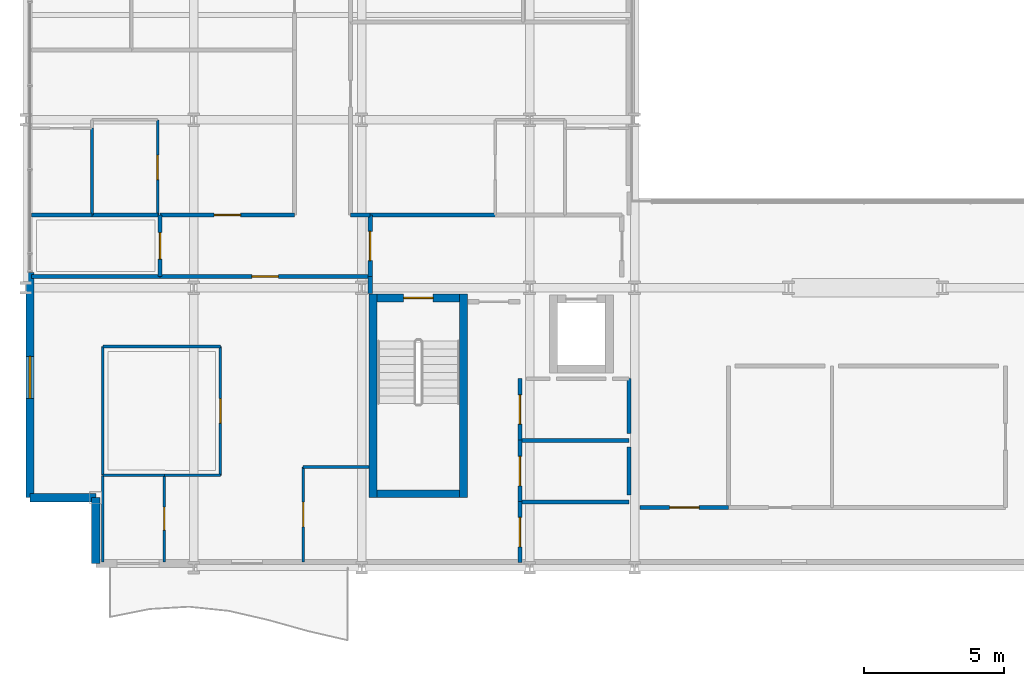
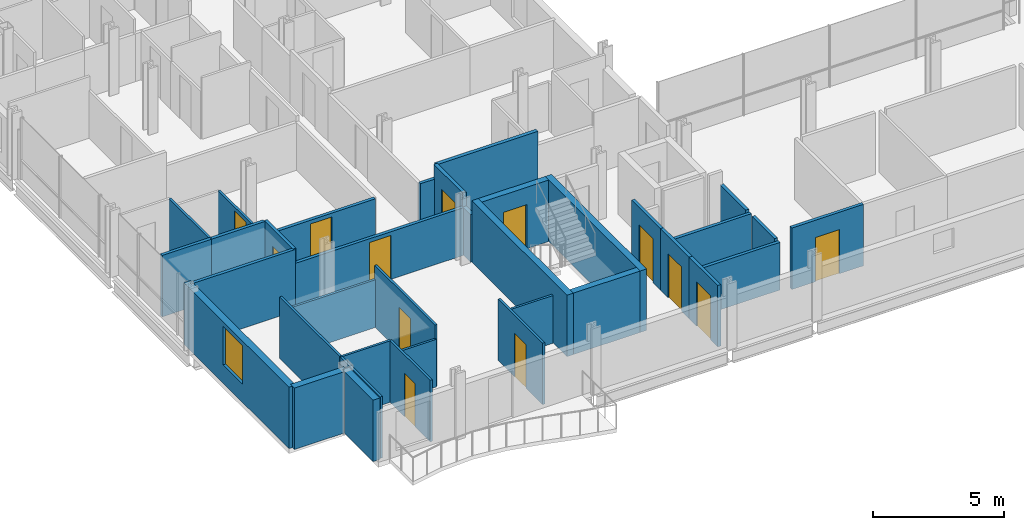
# One storey, part 31 of 41: 36 walls, 13 doors, 1 window, 14 openings.
"""IFC4 building model written with IfcOpenShell, lengths in metres."""

from ifc_helpers import new_model, si_unit, direction, frame, frame_2d, origin, place, context, subcontext, project, spatial, rectangle, extrude, material, layer, layer_set, type_object, element, fill, save


model = new_model("IFC4")

# Units and contexts
model_context = context("Model", 3, precision=1e-05, world=origin(), true_north=direction((0.0, 1.0)))
body_context = subcontext(model_context, "Body", "Model", "MODEL_VIEW")
ifc_project = project(units=[si_unit("LENGTHUNIT", "METRE"), si_unit("AREAUNIT", "SQUARE_METRE"), si_unit("VOLUMEUNIT", "CUBIC_METRE"), si_unit("PLANEANGLEUNIT", "RADIAN"), si_unit("MASSUNIT", "GRAM", prefix="KILO")], contexts=[model_context])

# Site, building, storey
site_placement = place(None, origin())
site = spatial("IfcSite", under=ifc_project, at=site_placement, CompositionType="ELEMENT")
building_placement = place(site_placement, origin())
building = spatial("IfcBuilding", under=site, at=building_placement, Name="Brevholm Reach", CompositionType="ELEMENT")
storey_placement = place(building_placement, frame((0.0, 0.0, 55.89990234375)))
storey = spatial("IfcBuildingStorey", under=building, at=storey_placement, Name="L15", CompositionType="ELEMENT", Elevation=55.89990234375)

# Walls
ifc_material_1 = material(Name="Concrete C50/60", Category="concrete")
ifc_layer_1 = layer(ifc_material_1, 0.280029296875)
ifc_layer_set_1 = layer_set([ifc_layer_1], Name="Concrete C50/60")
wall_type_1 = type_object("IfcWallType", Name="WAL-COR-280", PredefinedType="SHEAR", material=ifc_layer_set_1)
for number, where, z_axis, x_axis, name in (
    (1, (12.409912109375, 2.5, 0.0), (0.0, 0.0, 1.0), (0.0, 1.0, 0.0), "L15 Escape Stair ST-1 Core Wall W"),
    (2, (15.639892578125, 2.5, 0.0), (0.0, 0.0, 1.0), (0.0, 1.0, 0.0), "L15 Escape Stair ST-1 Core Wall E"),
):
    element("IfcWall", number, at=place(storey_placement, frame(where, z_axis=z_axis, x_axis=x_axis)), inside=storey, type_object=wall_type_1, Name=name, PredefinedType="SHEAR", context=body_context, shape_type="SweptSolid", body=[
        extrude(rectangle(XDim=7.280029296875, YDim=0.280029296875, at=frame_2d((3.64013671875, 0.0))), origin(), (0.0, 0.0, 1.0), 2.8701171875),
    ])
wall_1_placement = place(storey_placement, frame((12.550048828125, 2.639892578125, 0.0), z_axis=(0.0, 0.0, 1.0), x_axis=(1.0, 0.0, 0.0)))
element("IfcWall", 3, at=wall_1_placement, inside=storey, type_object=wall_type_1, Name="L15 Escape Stair ST-1 Core Wall S", PredefinedType="SHEAR", context=body_context, shape_type="SweptSolid", body=[
    extrude(rectangle(XDim=2.949951171875, YDim=0.280029296875, at=frame_2d((1.47509765625, 0.0))), origin(), (0.0, 0.0, 1.0), 2.8701171875),
])

# Wall, opening, door
wall_2_placement = place(storey_placement, frame((15.5, 9.639892578125, 0.0), z_axis=(0.0, 0.0, 1.0), x_axis=(-1.0, 0.0, 0.0)))
wall_2 = element("IfcWall", 4, at=wall_2_placement, inside=storey, type_object=wall_type_1, Name="L15 Escape Stair ST-1 Core Wall N", PredefinedType="SHEAR", context=body_context, shape_type="SweptSolid", body=[
    extrude(rectangle(XDim=2.949951171875, YDim=0.280029296875, at=frame_2d((1.47509765625, 0.0))), origin(), (0.0, 0.0, 1.0), 2.8701171875),
])
opening_1_placement = place(wall_2_placement, frame((0.949951171875, 0.0, 0.0)))
opening_1 = element("IfcOpeningElement", 5, at=opening_1_placement, cuts=wall_2, Name="Opening SD-ST-1", PredefinedType="OPENING", context=body_context, shape_type="SweptSolid", body=[
    extrude(rectangle(XDim=1.050048828125, YDim=2.06005859375, at=frame_2d((0.52490234375, 1.030029296875))), frame((0.0, 0.14990234375, 0.0), z_axis=(0.0, -1.0, 0.0), x_axis=(1.0, 0.0, 0.0)), (0.0, 0.0, 1.0), 0.300048828125),
])
ifc_material_2 = material(Name="Hardwood-Lipped Steel-Core Fire and Smoke Door", Category="steel")
door_type_1 = type_object("IfcDoorType", Name="DOR-INT-FD60S", OperationType="NOTDEFINED", PredefinedType="DOOR", material=ifc_material_2)
door_1_placement = place(opening_1_placement, origin())
door_1 = element("IfcDoor", 6, at=door_1_placement, inside=storey, type_object=door_type_1, Name="L15 Protected Stair ST-1 Lobby Door", OperationType="SINGLE_SWING_LEFT", OverallHeight=2.06005859375, OverallWidth=1.050048828125, PredefinedType="DOOR", context=body_context, shape_type="SweptSolid", body=[
    extrude(rectangle(XDim=1.050048828125, YDim=2.06005859375, at=frame_2d((0.52490234375, 1.030029296875))), frame((0.0, 0.02490234375, 0.0), z_axis=(0.0, -1.0, 0.0), x_axis=(1.0, 0.0, 0.0)), (0.0, 0.0, 1.0), 0.050048828125),
])
fill(opening_1, door_1)

# Walls
ifc_material_3 = material(Name="Concrete C40/50", Category="concrete")
ifc_layer_2 = layer(ifc_material_3, 0.300048828125)
ifc_layer_set_2 = layer_set([ifc_layer_2], Name="Concrete C40/50")
wall_type_2 = type_object("IfcWallType", Name="WAL-EXT-300", PredefinedType="STANDARD", material=ifc_layer_set_2)
for number, where, z_axis, x_axis, name in (
    (7, (2.5, 2.5, 0.0), (0.0, 0.0, 1.0), (0.0, -1.0, 0.0), "L15 Facade Wall WAL-L15-CSW1"),
    (8, (0.14990234375, 2.5, 0.0), (0.0, 0.0, 1.0), (1.0, 0.0, 0.0), "L15 Facade Wall WAL-L15-CSW2"),
):
    element("IfcWall", number, at=place(storey_placement, frame(where, z_axis=z_axis, x_axis=x_axis)), inside=storey, type_object=wall_type_2, Name=name, PredefinedType="STANDARD", context=body_context, shape_type="SweptSolid", body=[
        extrude(rectangle(XDim=2.35009765625, YDim=0.300048828125, at=frame_2d((1.175048828125, 0.0))), origin(), (0.0, 0.0, 1.0), 2.8701171875),
    ])

# Wall, opening, window
wall_3_placement = place(storey_placement, frame((0.14990234375, 10.550048828125, 0.0), z_axis=(0.0, 0.0, 1.0), x_axis=(0.0, -1.0, 0.0)))
wall_3 = element("IfcWall", 9, at=wall_3_placement, inside=storey, type_object=wall_type_2, Name="L15 Facade Wall WAL-L15-W-S", PredefinedType="STANDARD", context=body_context, shape_type="SweptSolid", body=[
    extrude(rectangle(XDim=8.050048828125, YDim=0.300048828125, at=frame_2d((4.02490234375, 0.0))), origin(), (0.0, 0.0, 1.0), 2.8701171875),
])
opening_2_placement = place(wall_3_placement, frame((3.0, 0.0, 0.85009765625)))
opening_2 = element("IfcOpeningElement", 10, at=opening_2_placement, cuts=wall_3, Name="Opening WN-05", PredefinedType="OPENING", context=body_context, shape_type="SweptSolid", body=[
    extrude(rectangle(XDim=1.5, YDim=1.800048828125, at=frame_2d((0.75, 0.89990234375))), frame((0.0, 0.159912109375, 0.0), z_axis=(0.0, -1.0, 0.0), x_axis=(1.0, 0.0, 0.0)), (0.0, 0.0, 1.0), 0.320068359375),
])
ifc_material_4 = material(Name="Dark Anodised Aluminium and Solar-Control IGU Glass", Category="aluminium")
window_type = type_object("IfcWindowType", Name="WIN-RES-1500", PartitioningType="SINGLE_PANEL", PredefinedType="WINDOW", material=ifc_material_4)
window_placement = place(opening_2_placement, origin())
window = element("IfcWindow", 11, at=window_placement, inside=storey, type_object=window_type, Name="L15 Window WIN-L15-WS-1", OverallHeight=1.800048828125, OverallWidth=1.5, PartitioningType="SINGLE_PANEL", PredefinedType="WINDOW", context=body_context, shape_type="SweptSolid", body=[
    extrude(rectangle(XDim=1.5, YDim=1.800048828125, at=frame_2d((0.75, 0.89990234375))), frame((0.0, 0.030029296875, 0.0), z_axis=(0.0, -1.0, 0.0), x_axis=(1.0, 0.0, 0.0)), (0.0, 0.0, 1.0), 0.06005859375),
])
fill(opening_2, window)

# Wall
ifc_material_5 = material(Name="Moisture-Resistant Acoustic Gypsum Stud Partition 100 mm", Category="gypsum")
ifc_layer_3 = layer(ifc_material_5, 0.10009765625)
ifc_layer_set_3 = layer_set([ifc_layer_3], Name="Moisture-Resistant Acoustic Gypsum Stud Partition 100 mm")
wall_type_3 = type_object("IfcWallType", Name="WAL-PRT-100", PredefinedType="PARTITIONING", material=ifc_layer_set_3)
wall_4_placement = place(storey_placement, frame((2.75, 3.300048828125, 0.0), z_axis=(0.0, 0.0, 1.0), x_axis=(1.0, 0.0, 0.0)))
element("IfcWall", 12, at=wall_4_placement, inside=storey, type_object=wall_type_3, Name="L15 Internal Partition 056", PredefinedType="PARTITIONING", context=body_context, shape_type="SweptSolid", body=[
    extrude(rectangle(XDim=2.197021484375, YDim=0.10009765625, at=frame_2d((1.0986328125, 0.0))), origin(), (0.0, 0.0, 1.0), 2.8701171875),
])

# Wall, opening, door
wall_5_placement = place(storey_placement, frame((4.947021484375, 0.199951171875, 0.0), z_axis=(0.0, 0.0, 1.0), x_axis=(0.0, 1.0, 0.0)))
wall_5 = element("IfcWall", 13, at=wall_5_placement, inside=storey, type_object=wall_type_3, Name="L15 Internal Partition 057", PredefinedType="PARTITIONING", context=body_context, shape_type="SweptSolid", body=[
    extrude(rectangle(XDim=3.10009765625, YDim=0.10009765625, at=frame_2d((1.550048828125, 0.0))), origin(), (0.0, 0.0, 1.0), 2.8701171875),
])
opening_3_placement = place(wall_5_placement, frame((1.139892578125, 0.0, 0.0)))
opening_3 = element("IfcOpeningElement", 14, at=opening_3_placement, cuts=wall_5, Name="Opening ID-03", PredefinedType="OPENING", context=body_context, shape_type="SweptSolid", body=[
    extrude(rectangle(XDim=0.820068359375, YDim=2.02001953125, at=frame_2d((0.41015625, 1.010009765625))), frame((0.0, 0.06005859375, 0.0), z_axis=(0.0, -1.0, 0.0), x_axis=(1.0, 0.0, 0.0)), (0.0, 0.0, 1.0), 0.1201171875),
])
ifc_material_6 = material(Name="Moisture-Resistant Painted Timber Internal Bathroom Door", Category="wood")
door_type_2 = type_object("IfcDoorType", Name="DOR-BATH-820", OperationType="NOTDEFINED", PredefinedType="DOOR", material=ifc_material_6)
door_2_placement = place(opening_3_placement, origin())
door_2 = element("IfcDoor", 15, at=door_2_placement, inside=storey, type_object=door_type_2, Name="L15 Internal Door 027", OperationType="SINGLE_SWING_RIGHT", OverallHeight=2.02001953125, OverallWidth=0.820068359375, PredefinedType="DOOR", context=body_context, shape_type="SweptSolid", body=[
    extrude(rectangle(XDim=0.820068359375, YDim=2.02001953125, at=frame_2d((0.41015625, 1.010009765625))), frame((0.0, 0.02490234375, 0.0), z_axis=(0.0, -1.0, 0.0), x_axis=(1.0, 0.0, 0.0)), (0.0, 0.0, 1.0), 0.050048828125),
])
fill(opening_3, door_2)

# Walls
wall_6_placement = place(storey_placement, frame((2.75, 0.199951171875, 0.0), z_axis=(0.0, 0.0, 1.0), x_axis=(0.0, 1.0, 0.0)))
element("IfcWall", 16, at=wall_6_placement, inside=storey, type_object=wall_type_3, Name="L15 Internal Partition 058", PredefinedType="PARTITIONING", context=body_context, shape_type="SweptSolid", body=[
    extrude(rectangle(XDim=3.10009765625, YDim=0.10009765625, at=frame_2d((1.550048828125, 0.0))), origin(), (0.0, 0.0, 1.0), 2.8701171875),
])
wall_7_placement = place(storey_placement, frame((9.912109375, 3.60009765625, 0.0), z_axis=(0.0, 0.0, 1.0), x_axis=(1.0, 0.0, 0.0)))
element("IfcWall", 17, at=wall_7_placement, inside=storey, type_object=wall_type_3, Name="L15 Internal Partition 059", PredefinedType="PARTITIONING", context=body_context, shape_type="SweptSolid", body=[
    extrude(rectangle(XDim=2.347900390625, YDim=0.10009765625, at=frame_2d((1.173828125, 0.0))), origin(), (0.0, 0.0, 1.0), 2.224853515625),
])

# Wall, opening, door
wall_8_placement = place(storey_placement, frame((9.912109375, 0.199951171875, 0.0), z_axis=(0.0, 0.0, 1.0), x_axis=(0.0, 1.0, 0.0)))
wall_8 = element("IfcWall", 18, at=wall_8_placement, inside=storey, type_object=wall_type_3, Name="L15 Internal Partition 060", PredefinedType="PARTITIONING", context=body_context, shape_type="SweptSolid", body=[
    extrude(rectangle(XDim=3.400146484375, YDim=0.10009765625, at=frame_2d((1.7001953125, 0.0))), origin(), (0.0, 0.0, 1.0), 2.8701171875),
])
opening_4_placement = place(wall_8_placement, frame((1.260009765625, 0.0, 0.0)))
opening_4 = element("IfcOpeningElement", 19, at=opening_4_placement, cuts=wall_8, Name="Opening ID-01", PredefinedType="OPENING", context=body_context, shape_type="SweptSolid", body=[
    extrude(rectangle(XDim=0.8798828125, YDim=2.0400390625, at=frame_2d((0.43994140625, 1.02001953125))), frame((0.0, 0.06005859375, 0.0), z_axis=(0.0, -1.0, 0.0), x_axis=(1.0, 0.0, 0.0)), (0.0, 0.0, 1.0), 0.1201171875),
])
ifc_material_7 = material(Name="Lacquered Ash Solid-Core Acoustic Internal Door", Category="timber")
door_type_3 = type_object("IfcDoorType", Name="DOR-INT-880", OperationType="NOTDEFINED", PredefinedType="DOOR", material=ifc_material_7)
door_3_placement = place(opening_4_placement, origin())
door_3 = element("IfcDoor", 20, at=door_3_placement, inside=storey, type_object=door_type_3, Name="L15 Internal Door 028", OperationType="SINGLE_SWING_LEFT", OverallHeight=2.0400390625, OverallWidth=0.8798828125, PredefinedType="DOOR", context=body_context, shape_type="SweptSolid", body=[
    extrude(rectangle(XDim=0.8798828125, YDim=2.0400390625, at=frame_2d((0.43994140625, 1.02001953125))), frame((0.0, 0.02490234375, 0.0), z_axis=(0.0, -1.0, 0.0), x_axis=(1.0, 0.0, 0.0)), (0.0, 0.0, 1.0), 0.050048828125),
])
fill(opening_4, door_3)

# Wall
wall_9_placement = place(storey_placement, frame((4.950927734375, 3.300048828125, 0.0), z_axis=(0.0, 0.0, 1.0), x_axis=(1.0, 0.0, 0.0)))
element("IfcWall", 21, at=wall_9_placement, inside=storey, type_object=wall_type_3, Name="L15 Internal Partition 061", PredefinedType="PARTITIONING", context=body_context, shape_type="SweptSolid", body=[
    extrude(rectangle(XDim=1.9990234375, YDim=0.10009765625, at=frame_2d((0.99951171875, 0.0))), origin(), (0.0, 0.0, 1.0), 2.224853515625),
])

# Wall, opening, door
wall_10_placement = place(storey_placement, frame((6.949951171875, 3.300048828125, 0.0), z_axis=(0.0, 0.0, 1.0), x_axis=(0.0, 1.0, 0.0)))
wall_10 = element("IfcWall", 22, at=wall_10_placement, inside=storey, type_object=wall_type_3, Name="L15 Internal Partition 062", PredefinedType="PARTITIONING", context=body_context, shape_type="SweptSolid", body=[
    extrude(rectangle(XDim=4.599853515625, YDim=0.10009765625, at=frame_2d((2.2998046875, 0.0))), origin(), (0.0, 0.0, 1.0), 2.8701171875),
])
opening_5_placement = place(wall_10_placement, frame((1.860107421875, 0.0, 0.0)))
opening_5 = element("IfcOpeningElement", 23, at=opening_5_placement, cuts=wall_10, Name="Opening ID-01", PredefinedType="OPENING", context=body_context, shape_type="SweptSolid", body=[
    extrude(rectangle(XDim=0.8798828125, YDim=2.0400390625, at=frame_2d((0.43994140625, 1.02001953125))), frame((0.0, 0.06005859375, 0.0), z_axis=(0.0, -1.0, 0.0), x_axis=(1.0, 0.0, 0.0)), (0.0, 0.0, 1.0), 0.1201171875),
])
door_4_placement = place(opening_5_placement, origin())
door_4 = element("IfcDoor", 24, at=door_4_placement, inside=storey, type_object=door_type_3, Name="L15 Internal Door 029", OperationType="SINGLE_SWING_RIGHT", OverallHeight=2.0400390625, OverallWidth=0.8798828125, PredefinedType="DOOR", context=body_context, shape_type="SweptSolid", body=[
    extrude(rectangle(XDim=0.8798828125, YDim=2.0400390625, at=frame_2d((0.43994140625, 1.02001953125))), frame((0.0, 0.02490234375, 0.0), z_axis=(0.0, -1.0, 0.0), x_axis=(1.0, 0.0, 0.0)), (0.0, 0.0, 1.0), 0.050048828125),
])
fill(opening_5, door_4)

# Walls
wall_11_placement = place(storey_placement, frame((2.75, 7.89990234375, 0.0), z_axis=(0.0, 0.0, 1.0), x_axis=(1.0, 0.0, 0.0)))
element("IfcWall", 25, at=wall_11_placement, inside=storey, type_object=wall_type_3, Name="L15 Internal Partition 063", PredefinedType="PARTITIONING", context=body_context, shape_type="SweptSolid", body=[
    extrude(rectangle(XDim=4.199951171875, YDim=0.10009765625, at=frame_2d((2.10009765625, 0.0))), origin(), (0.0, 0.0, 1.0), 2.224853515625),
])
wall_12_placement = place(storey_placement, frame((2.75, 3.303955078125, 0.0), z_axis=(0.0, 0.0, 1.0), x_axis=(0.0, 1.0, 0.0)))
element("IfcWall", 26, at=wall_12_placement, inside=storey, type_object=wall_type_3, Name="L15 Internal Partition 064", PredefinedType="PARTITIONING", context=body_context, shape_type="SweptSolid", body=[
    extrude(rectangle(XDim=4.595947265625, YDim=0.10009765625, at=frame_2d((2.2978515625, 0.0))), origin(), (0.0, 0.0, 1.0), 2.8701171875),
])
wall_13_placement = place(storey_placement, frame((2.362060546875, 12.60400390625, 0.0), z_axis=(0.0, 0.0, 1.0), x_axis=(0.0, 1.0, 0.0)))
element("IfcWall", 27, at=wall_13_placement, inside=storey, type_object=wall_type_3, Name="L15 Internal Partition 079", PredefinedType="PARTITIONING", context=body_context, shape_type="SweptSolid", body=[
    extrude(rectangle(XDim=3.095947265625, YDim=0.10009765625, at=frame_2d((1.5478515625, 0.0))), origin(), (0.0, 0.0, 1.0), 2.8701171875),
])

# Wall, opening, door
wall_14_placement = place(storey_placement, frame((4.7119140625, 12.60400390625, 0.0), z_axis=(0.0, 0.0, 1.0), x_axis=(0.0, 1.0, 0.0)))
wall_14 = element("IfcWall", 28, at=wall_14_placement, inside=storey, type_object=wall_type_3, Name="L15 Internal Partition 081", PredefinedType="PARTITIONING", context=body_context, shape_type="SweptSolid", body=[
    extrude(rectangle(XDim=3.39599609375, YDim=0.10009765625, at=frame_2d((1.697998046875, 0.0))), origin(), (0.0, 0.0, 1.0), 2.224853515625),
])
opening_6_placement = place(wall_14_placement, frame((1.258056640625, 0.0, 0.0)))
opening_6 = element("IfcOpeningElement", 29, at=opening_6_placement, cuts=wall_14, Name="Opening ID-01", PredefinedType="OPENING", context=body_context, shape_type="SweptSolid", body=[
    extrude(rectangle(XDim=0.8798828125, YDim=2.0400390625, at=frame_2d((0.43994140625, 1.02001953125))), frame((0.0, 0.06005859375, 0.0), z_axis=(0.0, -1.0, 0.0), x_axis=(1.0, 0.0, 0.0)), (0.0, 0.0, 1.0), 0.1201171875),
])
door_5_placement = place(opening_6_placement, origin())
door_5 = element("IfcDoor", 30, at=door_5_placement, inside=storey, type_object=door_type_3, Name="L15 Internal Door 034", OperationType="SINGLE_SWING_LEFT", OverallHeight=2.0400390625, OverallWidth=0.8798828125, PredefinedType="DOOR", context=body_context, shape_type="SweptSolid", body=[
    extrude(rectangle(XDim=0.8798828125, YDim=2.0400390625, at=frame_2d((0.43994140625, 1.02001953125))), frame((0.0, 0.02490234375, 0.0), z_axis=(0.0, -1.0, 0.0), x_axis=(1.0, 0.0, 0.0)), (0.0, 0.0, 1.0), 0.050048828125),
])
fill(opening_6, door_5)

ifc_material_8 = material(Name="Twin-Stud Acoustic Fire-Rated Gypsum Partition 140 mm", Category="gypsum")
ifc_layer_4 = layer(ifc_material_8, 0.139892578125)
ifc_layer_set_4 = layer_set([ifc_layer_4], Name="Twin-Stud Acoustic Fire-Rated Gypsum Partition 140 mm")
wall_type_4 = type_object("IfcWallType", Name="WAL-PRT-140", PredefinedType="PARTITIONING", material=ifc_layer_set_4)
wall_15_placement = place(storey_placement, frame((21.949951171875, 2.14990234375, 0.0), z_axis=(0.0, 0.0, 1.0), x_axis=(1.0, 0.0, 0.0)))
wall_15 = element("IfcWall", 31, at=wall_15_placement, inside=storey, type_object=wall_type_4, Name="L15 Internal Partition 002", PredefinedType="PARTITIONING", context=body_context, shape_type="SweptSolid", body=[
    extrude(rectangle(XDim=3.161376953125, YDim=0.139892578125, at=frame_2d((1.58056640625, 0.0))), origin(), (0.0, 0.0, 1.0), 2.8701171875),
])
opening_7_placement = place(wall_15_placement, frame((1.0556640625, 0.0, 0.0)))
opening_7 = element("IfcOpeningElement", 32, at=opening_7_placement, cuts=wall_15, Name="Opening FD-01", PredefinedType="OPENING", context=body_context, shape_type="SweptSolid", body=[
    extrude(rectangle(XDim=1.050048828125, YDim=2.06005859375, at=frame_2d((0.52490234375, 1.030029296875))), frame((0.0, 0.079833984375, 0.0), z_axis=(0.0, -1.0, 0.0), x_axis=(1.0, 0.0, 0.0)), (0.0, 0.0, 1.0), 0.159912109375),
])
door_6_placement = place(opening_7_placement, origin())
door_6 = element("IfcDoor", 33, at=door_6_placement, inside=storey, type_object=door_type_1, Name="L15 Internal Door 002", OperationType="SINGLE_SWING_LEFT", OverallHeight=2.06005859375, OverallWidth=1.050048828125, PredefinedType="DOOR", context=body_context, shape_type="SweptSolid", body=[
    extrude(rectangle(XDim=1.050048828125, YDim=2.06005859375, at=frame_2d((0.52490234375, 1.030029296875))), frame((0.0, 0.02490234375, 0.0), z_axis=(0.0, -1.0, 0.0), x_axis=(1.0, 0.0, 0.0)), (0.0, 0.0, 1.0), 0.050048828125),
])
fill(opening_7, door_6)

wall_16_placement = place(storey_placement, frame((17.64990234375, 0.179931640625, 0.0), z_axis=(0.0, 0.0, 1.0), x_axis=(0.0, 1.0, 0.0)))
wall_16 = element("IfcWall", 34, at=wall_16_placement, inside=storey, type_object=wall_type_4, Name="L15 Internal Partition 007", PredefinedType="PARTITIONING", context=body_context, shape_type="SweptSolid", body=[
    extrude(rectangle(XDim=2.181396484375, YDim=0.139892578125, at=frame_2d((1.0908203125, 0.0))), origin(), (0.0, 0.0, 1.0), 2.8701171875),
])
opening_8_placement = place(wall_16_placement, frame((0.565673828125, 0.0, 0.0)))
opening_8 = element("IfcOpeningElement", 35, at=opening_8_placement, cuts=wall_16, Name="Opening FD-01", PredefinedType="OPENING", context=body_context, shape_type="SweptSolid", body=[
    extrude(rectangle(XDim=1.050048828125, YDim=2.06005859375, at=frame_2d((0.52490234375, 1.030029296875))), frame((0.0, 0.079833984375, 0.0), z_axis=(0.0, -1.0, 0.0), x_axis=(1.0, 0.0, 0.0)), (0.0, 0.0, 1.0), 0.159912109375),
])
door_7_placement = place(opening_8_placement, origin())
door_7 = element("IfcDoor", 36, at=door_7_placement, inside=storey, type_object=door_type_1, Name="L15 Internal Door 004", OperationType="SINGLE_SWING_LEFT", OverallHeight=2.06005859375, OverallWidth=1.050048828125, PredefinedType="DOOR", context=body_context, shape_type="SweptSolid", body=[
    extrude(rectangle(XDim=1.050048828125, YDim=2.06005859375, at=frame_2d((0.52490234375, 1.030029296875))), frame((0.0, 0.02490234375, 0.0), z_axis=(0.0, -1.0, 0.0), x_axis=(1.0, 0.0, 0.0)), (0.0, 0.0, 1.0), 0.050048828125),
])
fill(opening_8, door_7)

wall_17_placement = place(storey_placement, frame((17.64990234375, 2.3427734375, 0.0), z_axis=(0.0, 0.0, 1.0), x_axis=(0.0, 1.0, 0.0)))
wall_17 = element("IfcWall", 37, at=wall_17_placement, inside=storey, type_object=wall_type_4, Name="L15 Internal Partition 008", PredefinedType="PARTITIONING", context=body_context, shape_type="SweptSolid", body=[
    extrude(rectangle(XDim=2.218505859375, YDim=0.139892578125, at=frame_2d((1.109375, 0.0))), origin(), (0.0, 0.0, 1.0), 2.8701171875),
])
opening_9_placement = place(wall_17_placement, frame((0.584228515625, 0.0, 0.0)))
opening_9 = element("IfcOpeningElement", 38, at=opening_9_placement, cuts=wall_17, Name="Opening FD-01", PredefinedType="OPENING", context=body_context, shape_type="SweptSolid", body=[
    extrude(rectangle(XDim=1.050048828125, YDim=2.06005859375, at=frame_2d((0.52490234375, 1.030029296875))), frame((0.0, 0.079833984375, 0.0), z_axis=(0.0, -1.0, 0.0), x_axis=(1.0, 0.0, 0.0)), (0.0, 0.0, 1.0), 0.159912109375),
])
door_8_placement = place(opening_9_placement, origin())
door_8 = element("IfcDoor", 39, at=door_8_placement, inside=storey, type_object=door_type_1, Name="L15 Internal Door 005", OperationType="SINGLE_SWING_RIGHT", OverallHeight=2.06005859375, OverallWidth=1.050048828125, PredefinedType="DOOR", context=body_context, shape_type="SweptSolid", body=[
    extrude(rectangle(XDim=1.050048828125, YDim=2.06005859375, at=frame_2d((0.52490234375, 1.030029296875))), frame((0.0, 0.02490234375, 0.0), z_axis=(0.0, -1.0, 0.0), x_axis=(1.0, 0.0, 0.0)), (0.0, 0.0, 1.0), 0.050048828125),
])
fill(opening_9, door_8)

wall_18_placement = place(storey_placement, frame((17.64990234375, 4.542724609375, 0.0), z_axis=(0.0, 0.0, 1.0), x_axis=(0.0, 1.0, 0.0)))
wall_18 = element("IfcWall", 40, at=wall_18_placement, inside=storey, type_object=wall_type_4, Name="L15 Internal Partition 009", PredefinedType="PARTITIONING", context=body_context, shape_type="SweptSolid", body=[
    extrude(rectangle(XDim=2.218505859375, YDim=0.139892578125, at=frame_2d((1.109375, 0.0))), origin(), (0.0, 0.0, 1.0), 2.8701171875),
])
opening_10_placement = place(wall_18_placement, frame((0.584228515625, 0.0, 0.0)))
opening_10 = element("IfcOpeningElement", 41, at=opening_10_placement, cuts=wall_18, Name="Opening FD-01", PredefinedType="OPENING", context=body_context, shape_type="SweptSolid", body=[
    extrude(rectangle(XDim=1.050048828125, YDim=2.06005859375, at=frame_2d((0.52490234375, 1.030029296875))), frame((0.0, 0.079833984375, 0.0), z_axis=(0.0, -1.0, 0.0), x_axis=(1.0, 0.0, 0.0)), (0.0, 0.0, 1.0), 0.159912109375),
])
door_9_placement = place(opening_10_placement, origin())
door_9 = element("IfcDoor", 42, at=door_9_placement, inside=storey, type_object=door_type_1, Name="L15 Internal Door 006", OperationType="SINGLE_SWING_LEFT", OverallHeight=2.06005859375, OverallWidth=1.050048828125, PredefinedType="DOOR", context=body_context, shape_type="SweptSolid", body=[
    extrude(rectangle(XDim=1.050048828125, YDim=2.06005859375, at=frame_2d((0.52490234375, 1.030029296875))), frame((0.0, 0.02490234375, 0.0), z_axis=(0.0, -1.0, 0.0), x_axis=(1.0, 0.0, 0.0)), (0.0, 0.0, 1.0), 0.050048828125),
])
fill(opening_10, door_9)

# Walls
for number, where, z_axis, x_axis, name in (
    (43, (17.654052734375, 2.35009765625, 0.0), (0.0, 0.0, 1.0), (1.0, 0.0, 0.0), "L15 Internal Partition 011"),
    (44, (17.654052734375, 4.550048828125, 0.0), (0.0, 0.0, 1.0), (1.0, 0.0, 0.0), "L15 Internal Partition 012"),
):
    element("IfcWall", number, at=place(storey_placement, frame(where, z_axis=z_axis, x_axis=x_axis)), inside=storey, type_object=wall_type_4, Name=name, PredefinedType="PARTITIONING", context=body_context, shape_type="SweptSolid", body=[
        extrude(rectangle(XDim=3.89599609375, YDim=0.139892578125, at=frame_2d((1.947998046875, 0.0))), origin(), (0.0, 0.0, 1.0), 2.224853515625),
    ])

# Wall, opening, door
wall_19_placement = place(storey_placement, frame((4.800048828125, 10.39990234375, 0.0), z_axis=(0.0, 0.0, 1.0), x_axis=(1.0, 0.0, 0.0)))
wall_19 = element("IfcWall", 45, at=wall_19_placement, inside=storey, type_object=wall_type_4, Name="L15 Internal Partition 027", PredefinedType="PARTITIONING", context=body_context, shape_type="SweptSolid", body=[
    extrude(rectangle(XDim=7.495849609375, YDim=0.139892578125, at=frame_2d((3.748046875, 0.0))), origin(), (0.0, 0.0, 1.0), 2.224853515625),
])
opening_11_placement = place(wall_19_placement, frame((3.27294921875, 0.0, 0.0)))
opening_11 = element("IfcOpeningElement", 46, at=opening_11_placement, cuts=wall_19, Name="Opening ID-30", PredefinedType="OPENING", context=body_context, shape_type="SweptSolid", body=[
    extrude(rectangle(XDim=0.949951171875, YDim=2.050048828125, at=frame_2d((0.47509765625, 1.02490234375))), frame((0.0, 0.079833984375, 0.0), z_axis=(0.0, -1.0, 0.0), x_axis=(1.0, 0.0, 0.0)), (0.0, 0.0, 1.0), 0.159912109375),
])
ifc_material_9 = material(Name="European Oak Veneered Solid-Core Fire Entrance Door", Category="timber")
door_type_4 = type_object("IfcDoorType", Name="DOR-FLT-FD30S", OperationType="NOTDEFINED", PredefinedType="DOOR", material=ifc_material_9)
door_10_placement = place(opening_11_placement, origin())
door_10 = element("IfcDoor", 47, at=door_10_placement, inside=storey, type_object=door_type_4, Name="L15 Internal Door 015", OperationType="SINGLE_SWING_RIGHT", OverallHeight=2.050048828125, OverallWidth=0.949951171875, PredefinedType="DOOR", context=body_context, shape_type="SweptSolid", body=[
    extrude(rectangle(XDim=0.949951171875, YDim=2.050048828125, at=frame_2d((0.47509765625, 1.02490234375))), frame((0.0, 0.02490234375, 0.0), z_axis=(0.0, -1.0, 0.0), x_axis=(1.0, 0.0, 0.0)), (0.0, 0.0, 1.0), 0.050048828125),
])
fill(opening_11, door_10)

wall_20_placement = place(storey_placement, frame((4.800048828125, 10.39990234375, 0.0), z_axis=(0.0, 0.0, 1.0), x_axis=(0.0, 1.0, 0.0)))
wall_20 = element("IfcWall", 48, at=wall_20_placement, inside=storey, type_object=wall_type_4, Name="L15 Internal Partition 028", PredefinedType="PARTITIONING", context=body_context, shape_type="SweptSolid", body=[
    extrude(rectangle(XDim=2.2001953125, YDim=0.139892578125, at=frame_2d((1.10009765625, 0.0))), origin(), (0.0, 0.0, 1.0), 2.8701171875),
])
opening_12_placement = place(wall_20_placement, frame((0.625, 0.0, 0.0)))
opening_12 = element("IfcOpeningElement", 49, at=opening_12_placement, cuts=wall_20, Name="Opening ID-30", PredefinedType="OPENING", context=body_context, shape_type="SweptSolid", body=[
    extrude(rectangle(XDim=0.949951171875, YDim=2.050048828125, at=frame_2d((0.47509765625, 1.02490234375))), frame((0.0, 0.079833984375, 0.0), z_axis=(0.0, -1.0, 0.0), x_axis=(1.0, 0.0, 0.0)), (0.0, 0.0, 1.0), 0.159912109375),
])
door_11_placement = place(opening_12_placement, origin())
door_11 = element("IfcDoor", 50, at=door_11_placement, inside=storey, type_object=door_type_4, Name="L15 Internal Door 016", OperationType="SINGLE_SWING_LEFT", OverallHeight=2.050048828125, OverallWidth=0.949951171875, PredefinedType="DOOR", context=body_context, shape_type="SweptSolid", body=[
    extrude(rectangle(XDim=0.949951171875, YDim=2.050048828125, at=frame_2d((0.47509765625, 1.02490234375))), frame((0.0, 0.02490234375, 0.0), z_axis=(0.0, -1.0, 0.0), x_axis=(1.0, 0.0, 0.0)), (0.0, 0.0, 1.0), 0.050048828125),
])
fill(opening_12, door_11)

wall_21_placement = place(storey_placement, frame((4.800048828125, 12.60009765625, 0.0), z_axis=(0.0, 0.0, 1.0), x_axis=(1.0, 0.0, 0.0)))
wall_21 = element("IfcWall", 51, at=wall_21_placement, inside=storey, type_object=wall_type_4, Name="L15 Internal Partition 029", PredefinedType="PARTITIONING", context=body_context, shape_type="SweptSolid", body=[
    extrude(rectangle(XDim=4.807373046875, YDim=0.139892578125, at=frame_2d((2.40380859375, 0.0))), origin(), (0.0, 0.0, 1.0), 2.224853515625),
])
opening_13_placement = place(wall_21_placement, frame((1.9287109375, 0.0, 0.0)))
opening_13 = element("IfcOpeningElement", 52, at=opening_13_placement, cuts=wall_21, Name="Opening ID-30", PredefinedType="OPENING", context=body_context, shape_type="SweptSolid", body=[
    extrude(rectangle(XDim=0.949951171875, YDim=2.050048828125, at=frame_2d((0.47509765625, 1.02490234375))), frame((0.0, 0.079833984375, 0.0), z_axis=(0.0, -1.0, 0.0), x_axis=(1.0, 0.0, 0.0)), (0.0, 0.0, 1.0), 0.159912109375),
])
door_12_placement = place(opening_13_placement, origin())
door_12 = element("IfcDoor", 53, at=door_12_placement, inside=storey, type_object=door_type_4, Name="L15 Internal Door 017", OperationType="SINGLE_SWING_RIGHT", OverallHeight=2.050048828125, OverallWidth=0.949951171875, PredefinedType="DOOR", context=body_context, shape_type="SweptSolid", body=[
    extrude(rectangle(XDim=0.949951171875, YDim=2.050048828125, at=frame_2d((0.47509765625, 1.02490234375))), frame((0.0, 0.02490234375, 0.0), z_axis=(0.0, -1.0, 0.0), x_axis=(1.0, 0.0, 0.0)), (0.0, 0.0, 1.0), 0.050048828125),
])
fill(opening_13, door_12)

# Walls
wall_22_placement = place(storey_placement, frame((11.5927734375, 12.60009765625, 0.0), z_axis=(0.0, 0.0, 1.0), x_axis=(1.0, 0.0, 0.0)))
element("IfcWall", 54, at=wall_22_placement, inside=storey, type_object=wall_type_4, Name="L15 Internal Partition 030", PredefinedType="PARTITIONING", context=body_context, shape_type="SweptSolid", body=[
    extrude(rectangle(XDim=0.703125, YDim=0.139892578125, at=frame_2d((0.3515625, 0.0))), origin(), (0.0, 0.0, 1.0), 2.224853515625),
])
wall_23_placement = place(storey_placement, frame((0.199951171875, 10.39990234375, 0.0), z_axis=(0.0, 0.0, 1.0), x_axis=(1.0, 0.0, 0.0)))
element("IfcWall", 55, at=wall_23_placement, inside=storey, type_object=wall_type_4, Name="L15 Internal Partition 065", PredefinedType="PARTITIONING", context=body_context, shape_type="SweptSolid", body=[
    extrude(rectangle(XDim=4.595947265625, YDim=0.139892578125, at=frame_2d((2.2978515625, 0.0))), origin(), (0.0, 0.0, 1.0), 2.8701171875),
])
wall_24_placement = place(storey_placement, frame((0.199951171875, 12.60009765625, 0.0), z_axis=(0.0, 0.0, 1.0), x_axis=(1.0, 0.0, 0.0)))
element("IfcWall", 56, at=wall_24_placement, inside=storey, type_object=wall_type_4, Name="L15 Internal Partition 066", PredefinedType="PARTITIONING", context=body_context, shape_type="SweptSolid", body=[
    extrude(rectangle(XDim=2.17333984375, YDim=0.139892578125, at=frame_2d((1.086669921875, 0.0))), origin(), (0.0, 0.0, 1.0), 2.8701171875),
])
wall_25_placement = place(storey_placement, frame((2.354736328125, 12.60009765625, 0.0), z_axis=(0.0, 0.0, 1.0), x_axis=(1.0, 0.0, 0.0)))
element("IfcWall", 57, at=wall_25_placement, inside=storey, type_object=wall_type_4, Name="L15 Internal Partition 067", PredefinedType="PARTITIONING", context=body_context, shape_type="SweptSolid", body=[
    extrude(rectangle(XDim=2.36865234375, YDim=0.139892578125, at=frame_2d((1.184326171875, 0.0))), origin(), (0.0, 0.0, 1.0), 2.8701171875),
])
wall_26_placement = place(storey_placement, frame((21.550048828125, 2.590087890625, 0.0), z_axis=(0.0, 0.0, 1.0), x_axis=(0.0, 1.0, 0.0)))
element("IfcWall", 58, at=wall_26_placement, inside=storey, type_object=wall_type_4, Name="L15 Internal Partition 156", PredefinedType="PARTITIONING", context=body_context, shape_type="SweptSolid", body=[
    extrude(rectangle(XDim=1.719970703125, YDim=0.139892578125, at=frame_2d((0.85986328125, 0.0))), origin(), (0.0, 0.0, 1.0), 2.224853515625),
])
wall_27_placement = place(storey_placement, frame((21.550048828125, 4.7900390625, 0.0), z_axis=(0.0, 0.0, 1.0), x_axis=(0.0, 1.0, 0.0)))
element("IfcWall", 59, at=wall_27_placement, inside=storey, type_object=wall_type_4, Name="L15 Internal Partition 157", PredefinedType="PARTITIONING", context=body_context, shape_type="SweptSolid", body=[
    extrude(rectangle(XDim=1.9599609375, YDim=0.139892578125, at=frame_2d((0.97998046875, 0.0))), origin(), (0.0, 0.0, 1.0), 2.224853515625),
])

# Wall, opening, door
ifc_material_10 = material(Name="Twin-Frame Fire-Rated Gypsum Board and Mineral Wool 160 mm", Category="gypsum")
ifc_layer_5 = layer(ifc_material_10, 0.159912109375)
ifc_layer_set_5 = layer_set([ifc_layer_5], Name="Twin-Frame Fire-Rated Gypsum Board and Mineral Wool 160 mm")
wall_type_5 = type_object("IfcWallType", Name="WAL-PRT-160", PredefinedType="PARTITIONING", material=ifc_layer_set_5)
wall_28_placement = place(storey_placement, frame((12.300048828125, 10.388671875, 0.0), z_axis=(0.0, 0.0, 1.0), x_axis=(0.0, 1.0, 0.0)))
wall_28 = element("IfcWall", 60, at=wall_28_placement, inside=storey, type_object=wall_type_5, Name="L15 Internal Partition 017", PredefinedType="PARTITIONING", context=body_context, shape_type="SweptSolid", body=[
    extrude(rectangle(XDim=2.21142578125, YDim=0.159912109375, at=frame_2d((1.105712890625, 0.0))), origin(), (0.0, 0.0, 1.0), 2.8701171875),
])
opening_14_placement = place(wall_28_placement, frame((0.58056640625, 0.0, 0.0)))
opening_14 = element("IfcOpeningElement", 61, at=opening_14_placement, cuts=wall_28, Name="Opening FD-01", PredefinedType="OPENING", context=body_context, shape_type="SweptSolid", body=[
    extrude(rectangle(XDim=1.050048828125, YDim=2.06005859375, at=frame_2d((0.52490234375, 1.030029296875))), frame((0.0, 0.08984375, 0.0), z_axis=(0.0, -1.0, 0.0), x_axis=(1.0, 0.0, 0.0)), (0.0, 0.0, 1.0), 0.179931640625),
])
door_13_placement = place(opening_14_placement, origin())
door_13 = element("IfcDoor", 62, at=door_13_placement, inside=storey, type_object=door_type_1, Name="L15 Internal Door 011", OperationType="SINGLE_SWING_RIGHT", OverallHeight=2.06005859375, OverallWidth=1.050048828125, PredefinedType="DOOR", context=body_context, shape_type="SweptSolid", body=[
    extrude(rectangle(XDim=1.050048828125, YDim=2.06005859375, at=frame_2d((0.52490234375, 1.030029296875))), frame((0.0, 0.02490234375, 0.0), z_axis=(0.0, -1.0, 0.0), x_axis=(1.0, 0.0, 0.0)), (0.0, 0.0, 1.0), 0.050048828125),
])
fill(opening_14, door_13)

# Walls
wall_29_placement = place(storey_placement, frame((12.300048828125, 9.7900390625, 0.0), z_axis=(0.0, 0.0, 1.0), x_axis=(0.0, 1.0, 0.0)))
element("IfcWall", 63, at=wall_29_placement, inside=storey, type_object=wall_type_5, Name="L15 Internal Partition 019", PredefinedType="PARTITIONING", context=body_context, shape_type="SweptSolid", body=[
    extrude(rectangle(XDim=0.6171875, YDim=0.159912109375, at=frame_2d((0.30859375, 0.0))), origin(), (0.0, 0.0, 1.0), 2.224853515625),
])
wall_30_placement = place(storey_placement, frame((12.300048828125, 12.60009765625, 0.0), z_axis=(0.0, 0.0, 1.0), x_axis=(1.0, 0.0, 0.0)))
element("IfcWall", 64, at=wall_30_placement, inside=storey, type_object=wall_type_5, Name="L15 Internal Partition 022", PredefinedType="PARTITIONING", context=body_context, shape_type="SweptSolid", body=[
    extrude(rectangle(XDim=4.480224609375, YDim=0.159912109375, at=frame_2d((2.240234375, 0.0))), origin(), (0.0, 0.0, 1.0), 2.8701171875),
])

save(model, "model.ifc")
